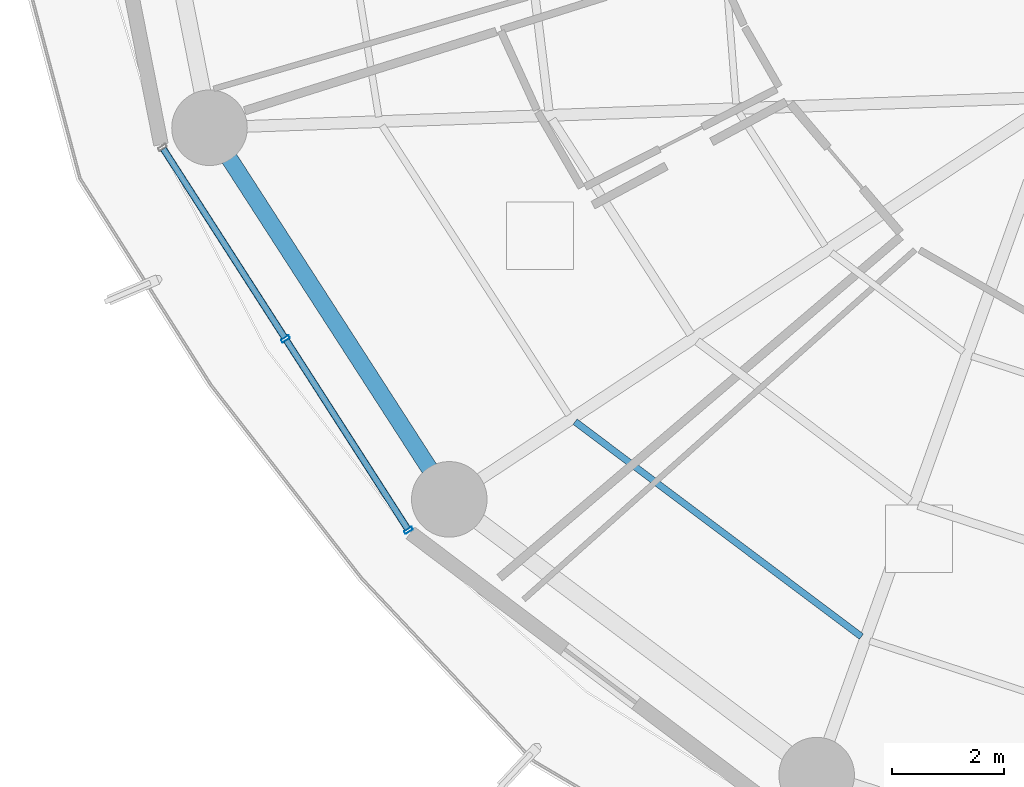
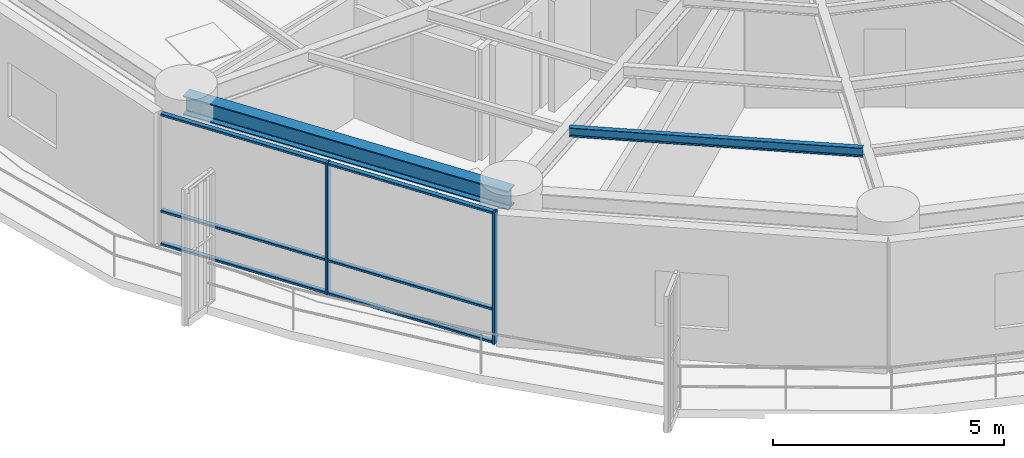
# One storey, part 2 of 37: 8 members, 2 beams, 1 element without a shape of its own.
"""IFC4 building model written with IfcOpenShell, lengths in metres."""

from ifc_helpers import new_model, si_unit, direction, frame, origin, origin_2d, place, context, subcontext, project, spatial, hollow_rectangle, i_section, extrude, material, layer, layer_set, material_profile, profile_set, type_object, element, aggregate, save


model = new_model("IFC4")

# Units and contexts
model_context = context("Model", 3, precision=1e-05, world=origin(), true_north=direction((0.0, 1.0)))
body_context = subcontext(model_context, "Body", "Model", "MODEL_VIEW")
ifc_project = project(units=[si_unit("LENGTHUNIT", "METRE"), si_unit("AREAUNIT", "SQUARE_METRE"), si_unit("VOLUMEUNIT", "CUBIC_METRE"), si_unit("PLANEANGLEUNIT", "RADIAN"), si_unit("MASSUNIT", "GRAM", prefix="KILO")], contexts=[model_context])

# Site, building, storey
site_placement = place(None, origin())
site = spatial("IfcSite", under=ifc_project, at=site_placement, CompositionType="ELEMENT")
building_placement = place(site_placement, origin())
building = spatial("IfcBuilding", under=site, at=building_placement, Name="Kelanora Arch Commons", CompositionType="ELEMENT")
storey_placement = place(building_placement, frame((0.0, 0.0, 113.85009765625)))
storey = spatial("IfcBuildingStorey", under=building, at=storey_placement, Name="L29", CompositionType="ELEMENT", Elevation=113.85009765625)

# Beams
ifc_material_1 = material(Name="Steel S355", Category="steel")
ifc_material_profile_1 = material_profile(ifc_material_1, i_section(OverallWidth=0.1201171875, OverallDepth=0.239990234375, WebThickness=0.006103515625, FlangeThickness=0.009765625, FilletRadius=0.014892578125, at=origin_2d()), Name="IPE240")
ifc_profile_set_1 = profile_set([ifc_material_profile_1], Name="Steel S355")
beam_type_1 = type_object("IfcBeamType", Name="BM-JST-02", PredefinedType="JOIST", material=ifc_profile_set_1)
beam_1_placement = place(storey_placement, frame((57.34326171875, 45.194580078125, 3.369873046875), z_axis=(0.799734335646, -0.600354055861, 0.0), x_axis=(0.600354055861, 0.799734335646, 0.0)))
element("IfcBeam", 1, at=beam_1_placement, inside=storey, type_object=beam_type_1, Name="Secondary Chord Joist BJC-22 L29", PredefinedType="JOIST", context=body_context, shape_type="SweptSolid", body=[
    extrude(i_section(OverallWidth=0.1201171875, OverallDepth=0.239990234375, WebThickness=0.006103515625, FlangeThickness=0.009765625, FilletRadius=0.014892578125, at=origin_2d()), origin(), (0.0, 0.0, 1.0), 6.39794921875),
])
ifc_material_profile_2 = material_profile(ifc_material_1, i_section(OverallWidth=0.300048828125, OverallDepth=0.5, WebThickness=0.014404296875, FlangeThickness=0.028076171875, FilletRadius=0.027099609375, at=origin_2d()), Name="HEB500")
ifc_profile_set_2 = profile_set([ifc_material_profile_2], Name="Steel S355")
beam_type_2 = type_object("IfcBeamType", Name="BM-SPN-Z2", PredefinedType="SPANDREL", material=ifc_profile_set_2)
beam_2_placement = place(storey_placement, frame((50.808349609375, 50.4482421875, 3.239990234375), z_axis=(0.542221144054, -0.840235818649, 0.0), x_axis=(0.840235818649, 0.542221144054, 0.0)))
element("IfcBeam", 2, at=beam_2_placement, inside=storey, type_object=beam_type_2, Name="Perimeter Spandrel Beam BS-20 L29", PredefinedType="SPANDREL", context=body_context, shape_type="SweptSolid", body=[
    extrude(i_section(OverallWidth=0.300048828125, OverallDepth=0.5, WebThickness=0.014404296875, FlangeThickness=0.028076171875, FilletRadius=0.027099609375, at=origin_2d()), origin(), (0.0, 0.0, 1.0), 7.90380859375),
])

# Curtain wall, members
ifc_material_2 = material(Name="Terracotta ceramic-fritted low-E glass and aluminium", Category="masonry")
ifc_layer = layer(ifc_material_2, 0.159912109375)
ifc_layer_set = layer_set([ifc_layer], Name="Terracotta ceramic-fritted low-E glass and aluminium")
curtain_wall_type = type_object("IfcCurtainWallType", Name="CW-SYS-01", PredefinedType="NOTDEFINED", material=ifc_layer_set)
curtain_wall_placement = place(storey_placement, origin())
curtain_wall = element("IfcCurtainWall", 3, at=curtain_wall_placement, inside=storey, type_object=curtain_wall_type, Name="Unitised Curtain Wall L29-B10", PredefinedType="NOTDEFINED")
ifc_material_3 = material(Name="Powder-coated aluminium terracotta", Category="masonry")
ifc_material_profile_3 = material_profile(ifc_material_3, hollow_rectangle(XDim=0.159912109375, YDim=0.06005859375, WallThickness=0.0048828125, InnerFilletRadius=0.0048828125, OuterFilletRadius=0.010009765625, at=origin_2d()), Name="CWM160x60")
ifc_profile_set_3 = profile_set([ifc_material_profile_3], Name="Powder-coated aluminium terracotta")
member_type_1 = type_object("IfcMemberType", Name="CWM-STD", PredefinedType="MULLION", material=ifc_profile_set_3)
member_1_placement = place(storey_placement, frame((52.16650390625, 46.6748046875, 0.0), z_axis=(0.0, 0.0, 1.0), x_axis=(0.841268883088, 0.540616931244, 0.0)))
member_1 = element("IfcMember", 4, at=member_1_placement, type_object=member_type_1, Name="CW-01 mullion 2", PredefinedType="MULLION", context=body_context, shape_type="SweptSolid", body=[
    extrude(hollow_rectangle(XDim=0.159912109375, YDim=0.06005859375, WallThickness=0.0048828125, InnerFilletRadius=0.0048828125, OuterFilletRadius=0.010009765625, at=origin_2d()), origin(), (0.0, 0.0, 1.0), 3.474853515625),
])
member_2_placement = place(storey_placement, frame((54.364990234375, 43.253662109375, 0.0), z_axis=(0.0, 0.0, 1.0), x_axis=(0.841268883088, 0.540616931244, 0.0)))
member_2 = element("IfcMember", 5, at=member_2_placement, type_object=member_type_1, Name="CW-01 mullion 3", PredefinedType="MULLION", context=body_context, shape_type="SweptSolid", body=[
    extrude(hollow_rectangle(XDim=0.159912109375, YDim=0.06005859375, WallThickness=0.0048828125, InnerFilletRadius=0.0048828125, OuterFilletRadius=0.010009765625, at=origin_2d()), origin(), (0.0, 0.0, 1.0), 3.474853515625),
])
ifc_material_profile_4 = material_profile(ifc_material_3, hollow_rectangle(XDim=0.1201171875, YDim=0.06005859375, WallThickness=0.0048828125, InnerFilletRadius=0.0048828125, OuterFilletRadius=0.010009765625, at=origin_2d()), Name="CWT120x60")
ifc_profile_set_4 = profile_set([ifc_material_profile_4], Name="Powder-coated aluminium terracotta")
member_type_2 = type_object("IfcMemberType", Name="CWT-STD", PredefinedType="USERDEFINED", material=ifc_profile_set_4)
member_3_placement = place(storey_placement, frame((49.984375, 50.0703125, 0.02978515625), z_axis=(0.540643629734, -0.841251725483, 0.0), x_axis=(0.841251725483, 0.540643629734, 0.0)))
member_3 = element("IfcMember", 6, at=member_3_placement, type_object=member_type_2, Name="CW-01 transom 1.1", ObjectType="TRANSOM", PredefinedType="USERDEFINED", context=body_context, shape_type="SweptSolid", body=[
    extrude(hollow_rectangle(XDim=0.1201171875, YDim=0.06005859375, WallThickness=0.0048828125, InnerFilletRadius=0.0048828125, OuterFilletRadius=0.010009765625, at=origin_2d()), origin(), (0.0, 0.0, 1.0), 4.00634765625),
])
member_4_placement = place(storey_placement, frame((49.984375, 50.0703125, 0.89990234375), z_axis=(0.540643629734, -0.841251725483, 0.0), x_axis=(0.841251725483, 0.540643629734, 0.0)))
member_4 = element("IfcMember", 7, at=member_4_placement, type_object=member_type_2, Name="CW-01 transom 1.2", ObjectType="TRANSOM", PredefinedType="USERDEFINED", context=body_context, shape_type="SweptSolid", body=[
    extrude(hollow_rectangle(XDim=0.1201171875, YDim=0.06005859375, WallThickness=0.0048828125, InnerFilletRadius=0.0048828125, OuterFilletRadius=0.010009765625, at=origin_2d()), origin(), (0.0, 0.0, 1.0), 4.00634765625),
])
member_5_placement = place(storey_placement, frame((49.984375, 50.0703125, 3.44482421875), z_axis=(0.540643629734, -0.841251725483, 0.0), x_axis=(0.841251725483, 0.540643629734, 0.0)))
member_5 = element("IfcMember", 8, at=member_5_placement, type_object=member_type_2, Name="CW-01 transom 1.3", ObjectType="TRANSOM", PredefinedType="USERDEFINED", context=body_context, shape_type="SweptSolid", body=[
    extrude(hollow_rectangle(XDim=0.1201171875, YDim=0.06005859375, WallThickness=0.0048828125, InnerFilletRadius=0.0048828125, OuterFilletRadius=0.010009765625, at=origin_2d()), origin(), (0.0, 0.0, 1.0), 4.00634765625),
])
member_6_placement = place(storey_placement, frame((52.182861328125, 46.6494140625, 0.02978515625), z_axis=(0.540643629734, -0.841251725483, 0.0), x_axis=(0.841251725483, 0.540643629734, 0.0)))
member_6 = element("IfcMember", 9, at=member_6_placement, type_object=member_type_2, Name="CW-01 transom 2.1", ObjectType="TRANSOM", PredefinedType="USERDEFINED", context=body_context, shape_type="SweptSolid", body=[
    extrude(hollow_rectangle(XDim=0.1201171875, YDim=0.06005859375, WallThickness=0.0048828125, InnerFilletRadius=0.0048828125, OuterFilletRadius=0.010009765625, at=origin_2d()), origin(), (0.0, 0.0, 1.0), 4.00634765625),
])
member_7_placement = place(storey_placement, frame((52.182861328125, 46.6494140625, 0.89990234375), z_axis=(0.540643629734, -0.841251725483, 0.0), x_axis=(0.841251725483, 0.540643629734, 0.0)))
member_7 = element("IfcMember", 10, at=member_7_placement, type_object=member_type_2, Name="CW-01 transom 2.2", ObjectType="TRANSOM", PredefinedType="USERDEFINED", context=body_context, shape_type="SweptSolid", body=[
    extrude(hollow_rectangle(XDim=0.1201171875, YDim=0.06005859375, WallThickness=0.0048828125, InnerFilletRadius=0.0048828125, OuterFilletRadius=0.010009765625, at=origin_2d()), origin(), (0.0, 0.0, 1.0), 4.00634765625),
])
member_8_placement = place(storey_placement, frame((52.182861328125, 46.6494140625, 3.44482421875), z_axis=(0.540643629734, -0.841251725483, 0.0), x_axis=(0.841251725483, 0.540643629734, 0.0)))
member_8 = element("IfcMember", 11, at=member_8_placement, type_object=member_type_2, Name="CW-01 transom 2.3", ObjectType="TRANSOM", PredefinedType="USERDEFINED", context=body_context, shape_type="SweptSolid", body=[
    extrude(hollow_rectangle(XDim=0.1201171875, YDim=0.06005859375, WallThickness=0.0048828125, InnerFilletRadius=0.0048828125, OuterFilletRadius=0.010009765625, at=origin_2d()), origin(), (0.0, 0.0, 1.0), 4.00634765625),
])
aggregate(curtain_wall, [member_1, member_2, member_3, member_4, member_5, member_6, member_7, member_8])

save(model, "model.ifc")
